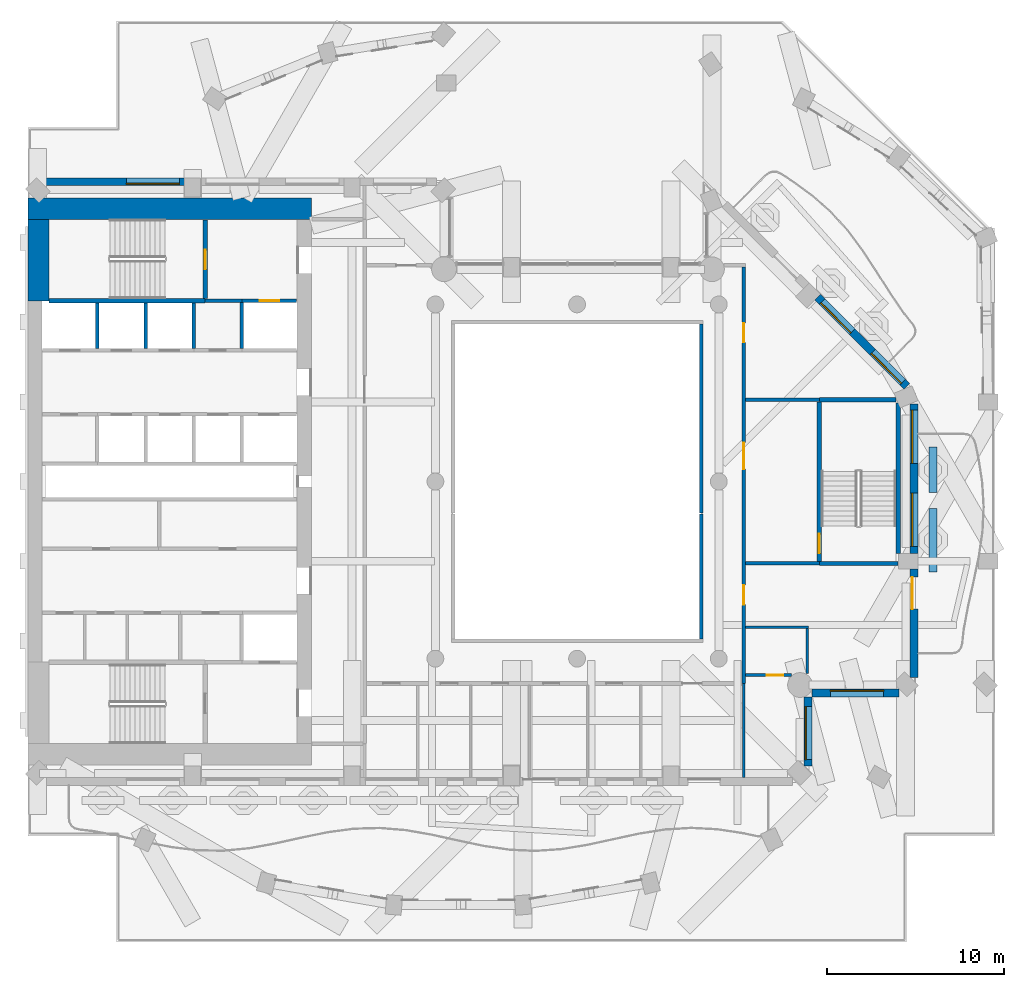
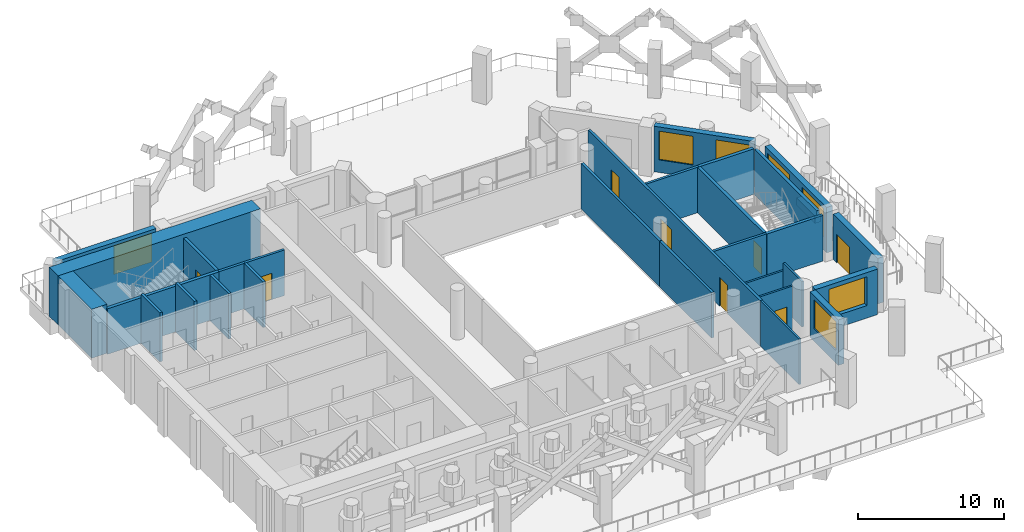
# One storey, part 7 of 18: 31 walls, 8 doors, 7 windows, 15 openings.
"""IFC4 building model written with IfcOpenShell, lengths in metres."""

import ifcopenshell
import ifcopenshell.guid

model = None  # the IFC model being written
_history = None  # IfcOwnerHistory: only IFC2X3 demands one
_inside = {}  # id of a spatial element -> (the spatial element, [elements in it])
_under = {}  # id of a project, library or spatial element -> (it, [spatial elements below it])
_declared = {}  # id of a project -> (the project, [libraries it declares])
_typed = {}  # id of a type object -> (the type object, [elements of that type])
_made_of = {}  # id of a material, layer set ... -> (it, [elements and type objects made of it])


def new_model(schema):
    """Start an empty IFC model of exactly this schema.

    Asked for "IFC4X3", IfcOpenShell would pick the latest addendum, in which some entities
    have other attributes; the version numbers below select the first issue.
    IFC2X3 requires an IfcOwnerHistory on every rooted entity: one is made here for all.
    """
    global model, _history
    if schema == "IFC4X3":
        model = ifcopenshell.file(schema_version=(4, 3, 0, 0))
    else:
        model = ifcopenshell.file(schema=schema)
    _inside.clear()
    _under.clear()
    _declared.clear()
    _typed.clear()
    _made_of.clear()
    _history = None
    if model.schema == "IFC2X3":
        org = make("IfcOrganization", Name="unknown")
        user = make(
            "IfcPersonAndOrganization",
            ThePerson=make("IfcPerson", FamilyName="unknown"),
            TheOrganization=org,
        )
        app = make(
            "IfcApplication",
            ApplicationDeveloper=org,
            Version="unknown",
            ApplicationFullName="unknown",
            ApplicationIdentifier="unknown",
        )
        _history = make(
            "IfcOwnerHistory",
            OwningUser=user,
            OwningApplication=app,
            ChangeAction="ADDED",
            CreationDate=0,
        )
    return model


def make(cls, **values):
    """One entity of the class cls with the attributes given. An attribute that is None is left unset."""
    return model.create_entity(
        cls, **{name: value for name, value in values.items() if value is not None}
    )


def rooted(cls, **values):
    """An entity with a GlobalId (a new one), such as an element, a storey or a relation."""
    return make(cls, GlobalId=ifcopenshell.guid.new(), OwnerHistory=_history, **values)


def si_unit(unit_type, name, prefix=None):
    """IfcSIUnit, for example si_unit("LENGTHUNIT", "METRE", prefix="MILLI")."""
    return make("IfcSIUnit", UnitType=unit_type, Prefix=prefix, Name=name)


def assignment(units):
    """IfcUnitAssignment: the units of a project."""
    return None if units is None else make("IfcUnitAssignment", Units=units)


def point(xyz):
    """IfcCartesianPoint."""
    return None if xyz is None else make("IfcCartesianPoint", Coordinates=xyz)


def direction(xyz):
    """IfcDirection."""
    return None if xyz is None else make("IfcDirection", DirectionRatios=xyz)


def frame(location, z_axis=None, x_axis=None):
    """IfcAxis2Placement3D, a coordinate frame: its origin and axes. An axis left out is left unset."""
    return make(
        "IfcAxis2Placement3D",
        Location=point(location),
        Axis=direction(z_axis),
        RefDirection=direction(x_axis),
    )


def frame_2d(location, x_axis=None):
    """IfcAxis2Placement2D, a coordinate frame in the plane: its origin and x axis."""
    return make(
        "IfcAxis2Placement2D", Location=point(location), RefDirection=direction(x_axis)
    )


def origin():
    """The frame at (0, 0, 0) with its axes left unset."""
    return frame((0.0, 0.0, 0.0))


def place(relative_to, where):
    """IfcLocalPlacement: puts the frame where relative to a parent placement (None: the world)."""
    return make(
        "IfcLocalPlacement", PlacementRelTo=relative_to, RelativePlacement=where
    )


def context(
    kind, dimensions, precision=None, world=None, true_north=None, identifier=None
):
    """IfcGeometricRepresentationContext, for example the 3D "Model" context."""
    return make(
        "IfcGeometricRepresentationContext",
        ContextIdentifier=identifier,
        ContextType=kind,
        CoordinateSpaceDimension=dimensions,
        Precision=precision,
        WorldCoordinateSystem=world,
        TrueNorth=true_north,
    )


def subcontext(parent, identifier, kind, view, scale=None):
    """IfcGeometricRepresentationSubContext, for example "Body" below "Model"."""
    return make(
        "IfcGeometricRepresentationSubContext",
        ContextIdentifier=identifier,
        ContextType=kind,
        ParentContext=parent,
        TargetScale=scale,
        TargetView=view,
    )


def project(units=None, contexts=None):
    """IfcProject with its units and contexts."""
    return rooted(
        "IfcProject",
        Name="project",
        RepresentationContexts=contexts,
        UnitsInContext=assignment(units),
    )


def spatial(cls, under=None, at=None, **own):
    """A site, building, storey or space (cls), placed at a placement, below another one or the project."""
    s = rooted(cls, ObjectPlacement=at, **own)
    if under is not None:
        _under.setdefault(under.id(), (under, []))[1].append(s)
    return s


def profile(cls, at=None, kind="AREA", **sizes):
    """A parametric profile (cls). Its sizes go by their IFC names, for example OverallWidth=200.0."""
    return make(cls, ProfileType=kind, Position=at, **sizes)


def rectangle(**sizes):
    """IfcRectangleProfileDef."""
    return profile("IfcRectangleProfileDef", **sizes)


def extrude(swept, where, along, depth):
    """IfcExtrudedAreaSolid: the profile swept, set in the frame where, extruded along a direction by depth."""
    return make(
        "IfcExtrudedAreaSolid",
        SweptArea=swept,
        Position=where,
        ExtrudedDirection=direction(along),
        Depth=depth,
    )


def shape(context_of_items, identifier, shape_type, items):
    """IfcShapeRepresentation: the items that make up one representation, for example the "Body"."""
    return make(
        "IfcShapeRepresentation",
        ContextOfItems=context_of_items,
        RepresentationIdentifier=identifier,
        RepresentationType=shape_type,
        Items=items,
    )


def material(Name=None, Category=None):
    """IfcMaterial."""
    return make("IfcMaterial", Name=Name, Category=Category)


def layer(
    of_material, thickness, ventilated=None, Name=None, Category=None, Priority=None
):
    """IfcMaterialLayer: one layer of a wall or slab, of a material (None: an air gap)."""
    return make(
        "IfcMaterialLayer",
        Material=of_material,
        LayerThickness=thickness,
        IsVentilated=ventilated,
        Name=Name,
        Category=Category,
        Priority=Priority,
    )


def layer_set(layers, Name=None):
    """IfcMaterialLayerSet."""
    return make("IfcMaterialLayerSet", MaterialLayers=layers, LayerSetName=Name)


def made_of(thing, what):
    """Note that an element or type object is made of a material, layer set ...; save() writes the relation."""
    if what is not None:
        _made_of.setdefault(what.id(), (what, []))[1].append(thing)
    return thing


def type_object(cls, material=None, **own):
    """A type object (cls), such as IfcWallType, which elements share."""
    return made_of(rooted(cls, **own), material)


def element(
    cls,
    number,
    at=None,
    inside=None,
    cuts=None,
    type_object=None,
    material=None,
    context=None,
    identifier="Body",
    shape_type=None,
    held_by="IfcProductDefinitionShape",
    body=None,
    shapes=None,
    **own,
):
    """One element of the class cls, such as IfcWall. Its Tag is "e" and its number.

    at: its placement. inside: the storey or other place that contains it. cuts: it is an
    opening in that element (IfcRelVoidsElement). A single representation is given by context,
    identifier, shape_type and body (its items); several are given by shapes. held_by: the class
    of the entity that holds the representations. save() writes the other relations.
    """
    e = rooted(cls, Tag="e%d" % number, ObjectPlacement=at, **own)
    if body is not None:
        shapes = [shape(context, identifier, shape_type, body)]
    if shapes is not None:
        e.Representation = make(held_by, Representations=shapes)
    if inside is not None:
        _inside.setdefault(inside.id(), (inside, []))[1].append(e)
    if cuts is not None:
        rooted(
            "IfcRelVoidsElement", RelatingBuildingElement=cuts, RelatedOpeningElement=e
        )
    if type_object is not None:
        _typed.setdefault(type_object.id(), (type_object, []))[1].append(e)
    return made_of(e, material)


def fill(opening, filler):
    """IfcRelFillsElement: the door or window that sits in an opening."""
    return rooted(
        "IfcRelFillsElement",
        RelatingOpeningElement=opening,
        RelatedBuildingElement=filler,
    )


def aggregate(whole, parts):
    """IfcRelAggregates: a whole, such as a stair, and the parts it consists of."""
    return rooted("IfcRelAggregates", RelatingObject=whole, RelatedObjects=parts)


def save(model, path):
    """Write the relations noted so far, then the file.

    IfcRelAggregates (storeys below a building ...), IfcRelContainedInSpatialStructure (elements
    in a storey), IfcRelDefinesByType, IfcRelAssociatesMaterial and IfcRelDeclares: one each for
    every whole, place, type object, material and project.
    """
    for whole, parts in _under.values():
        aggregate(whole, parts)
    for where, things in _inside.values():
        rooted(
            "IfcRelContainedInSpatialStructure",
            RelatedElements=things,
            RelatingStructure=where,
        )
    for kind, things in _typed.values():
        rooted("IfcRelDefinesByType", RelatedObjects=things, RelatingType=kind)
    for what, things in _made_of.values():
        rooted("IfcRelAssociatesMaterial", RelatedObjects=things, RelatingMaterial=what)
    for by, libraries in _declared.values():
        rooted("IfcRelDeclares", RelatingContext=by, RelatedDefinitions=libraries)
    model.write(path)


model = new_model("IFC4")

# Units and contexts
model_context = context("Model", 3, precision=1e-05, world=origin(), true_north=direction((0.0, 1.0)))
body_context = subcontext(model_context, "Body", "Model", "MODEL_VIEW")
ifc_project = project(units=[si_unit("LENGTHUNIT", "METRE"), si_unit("AREAUNIT", "SQUARE_METRE"), si_unit("VOLUMEUNIT", "CUBIC_METRE"), si_unit("PLANEANGLEUNIT", "RADIAN"), si_unit("MASSUNIT", "GRAM", prefix="KILO")], contexts=[model_context])

# Site, building, storey
site_placement = place(None, origin())
site = spatial("IfcSite", under=ifc_project, at=site_placement, CompositionType="ELEMENT")
building_placement = place(site_placement, origin())
building = spatial("IfcBuilding", under=site, at=building_placement, Name="Cypress Arch Tower", CompositionType="ELEMENT")
storey_placement = place(building_placement, frame((0.0, 0.0, 160.5)))
storey = spatial("IfcBuildingStorey", under=building, at=storey_placement, Name="L34", CompositionType="ELEMENT", Elevation=160.5)

# Walls
ifc_material_1 = material(Name="Concrete C40/50, waterproofed", Category="concrete")
ifc_layer_1 = layer(ifc_material_1, 0.449951171875)
ifc_layer_set_1 = layer_set([ifc_layer_1], Name="Balcony planter wall PW450")
wall_type_1 = type_object("IfcWallType", Name="Balcony planter wall PW450", PredefinedType="SOLIDWALL", material=ifc_layer_set_1)
wall_1_placement = place(storey_placement, frame((21.10009765625, -5.10009765625, 0.0), z_axis=(0.0, 0.0, 1.0), x_axis=(0.0, 1.0, 0.0)))
element("IfcWall", 1, at=wall_1_placement, inside=storey, type_object=wall_type_1, Name="Balcony planter wall L34-B04.1", PredefinedType="SOLIDWALL", context=body_context, shape_type="SweptSolid", body=[
    extrude(rectangle(XDim=3.58349609375, YDim=0.449951171875, at=frame_2d((1.791748046875, 0.0))), origin(), (0.0, 0.0, 1.0), 0.60009765625),
])
wall_2_placement = place(storey_placement, frame((21.10009765625, -0.61669921875, 0.0), z_axis=(0.0, 0.0, 1.0), x_axis=(0.0, 1.0, 0.0)))
element("IfcWall", 2, at=wall_2_placement, inside=storey, type_object=wall_type_1, Name="Balcony planter wall L34-B04.2", PredefinedType="SOLIDWALL", context=body_context, shape_type="SweptSolid", body=[
    extrude(rectangle(XDim=2.566650390625, YDim=0.449951171875, at=frame_2d((1.283203125, 0.0))), origin(), (0.0, 0.0, 1.0), 0.60009765625),
])

# Wall, opening, window
ifc_material_2 = material(Name="Brick (red buff blend)", Category="masonry")
ifc_layer_2 = layer(ifc_material_2, 0.449951171875)
ifc_layer_set_2 = layer_set([ifc_layer_2], Name="Brick pier and spandrel wall BW450")
wall_type_2 = type_object("IfcWallType", Name="Brick pier and spandrel wall BW450", PredefinedType="SOLIDWALL", material=ifc_layer_set_2)
wall_3_placement = place(storey_placement, frame((14.02490234375, -16.063720703125, 0.0), z_axis=(0.0, 0.0, 1.0), x_axis=(0.0, 1.0, 0.0)))
wall_3 = element("IfcWall", 3, at=wall_3_placement, inside=storey, type_object=wall_type_2, Name="Brick wall L34 B02.0", PredefinedType="SOLIDWALL", context=body_context, shape_type="SweptSolid", body=[
    extrude(rectangle(XDim=3.9091796875, YDim=0.449951171875, at=frame_2d((1.95458984375, 0.0))), origin(), (0.0, 0.0, 1.0), 3.800048828125),
])
opening_1_placement = place(wall_3_placement, frame((0.363525390625, 0.0, 1.050048828125)))
opening_1 = element("IfcOpeningElement", 4, at=opening_1_placement, cuts=wall_3, Name="Opening W300O", PredefinedType="OPENING", context=body_context, shape_type="SweptSolid", body=[
    extrude(rectangle(XDim=3.0, YDim=2.39990234375, at=frame_2d((1.5, 1.199951171875))), frame((0.0, 0.23486328125, 0.0), z_axis=(0.0, -1.0, 0.0), x_axis=(1.0, 0.0, 0.0)), (0.0, 0.0, 1.0), 0.469970703125),
])
ifc_material_3 = material(Name="Anodised aluminium, bronze finish, clear low-emissivity double glazing", Category="aluminium")
window_type_1 = type_object("IfcWindowType", Name="Window Office 3000x2400", PartitioningType="SINGLE_PANEL", PredefinedType="WINDOW", material=ifc_material_3)
window_1_placement = place(opening_1_placement, origin())
window_1 = element("IfcWindow", 5, at=window_1_placement, inside=storey, type_object=window_type_1, Name="Window L34 B02.0.1", OverallHeight=2.39990234375, OverallWidth=3.0, PartitioningType="SINGLE_PANEL", PredefinedType="WINDOW", context=body_context, shape_type="SweptSolid", body=[
    extrude(rectangle(XDim=3.0, YDim=2.39990234375, at=frame_2d((1.5, 1.199951171875))), frame((0.0, 0.135009765625, 0.0), z_axis=(0.0, -1.0, 0.0), x_axis=(1.0, 0.0, 0.0)), (0.0, 0.0, 1.0), 0.06005859375),
])
fill(opening_1, window_1)

wall_4_placement = place(storey_placement, frame((14.254638671875, -11.925048828125, 0.0), z_axis=(0.0, 0.0, 1.0), x_axis=(1.0, 0.0, 0.0)))
wall_4 = element("IfcWall", 6, at=wall_4_placement, inside=storey, type_object=wall_type_2, Name="Brick wall L34 B03.0", PredefinedType="SOLIDWALL", context=body_context, shape_type="SweptSolid", body=[
    extrude(rectangle(XDim=4.908935546875, YDim=0.449951171875, at=frame_2d((2.45458984375, 0.0))), origin(), (0.0, 0.0, 1.0), 3.800048828125),
])
opening_2_placement = place(wall_4_placement, frame((1.04541015625, 0.0, 1.050048828125)))
opening_2 = element("IfcOpeningElement", 7, at=opening_2_placement, cuts=wall_4, Name="Opening W300O", PredefinedType="OPENING", context=body_context, shape_type="SweptSolid", body=[
    extrude(rectangle(XDim=3.0, YDim=2.39990234375, at=frame_2d((1.5, 1.199951171875))), frame((0.0, 0.23486328125, 0.0), z_axis=(0.0, -1.0, 0.0), x_axis=(1.0, 0.0, 0.0)), (0.0, 0.0, 1.0), 0.469970703125),
])
window_2_placement = place(opening_2_placement, origin())
window_2 = element("IfcWindow", 8, at=window_2_placement, inside=storey, type_object=window_type_1, Name="Window L34 B03.0.1", OverallHeight=2.39990234375, OverallWidth=3.0, PartitioningType="SINGLE_PANEL", PredefinedType="WINDOW", context=body_context, shape_type="SweptSolid", body=[
    extrude(rectangle(XDim=3.0, YDim=2.39990234375, at=frame_2d((1.5, 1.199951171875))), frame((0.0, 0.135009765625, 0.0), z_axis=(0.0, -1.0, 0.0), x_axis=(1.0, 0.0, 0.0)), (0.0, 0.0, 1.0), 0.06005859375),
])
fill(opening_2, window_2)

# Wall, opening, door
wall_5_placement = place(storey_placement, frame((20.02490234375, -11.063720703125, 0.0), z_axis=(0.0, 0.0, 1.0), x_axis=(0.0, 1.0, 0.0)))
wall_5 = element("IfcWall", 9, at=wall_5_placement, inside=storey, type_object=wall_type_2, Name="Brick wall L34 B04.0", PredefinedType="SOLIDWALL", context=body_context, shape_type="SweptSolid", body=[
    extrude(rectangle(XDim=6.11376953125, YDim=0.449951171875, at=frame_2d((3.056884765625, 0.0))), origin(), (0.0, 0.0, 1.0), 3.800048828125),
])
opening_3_placement = place(wall_5_placement, frame((3.863525390625, 0.0, 0.0)))
opening_3 = element("IfcOpeningElement", 10, at=opening_3_placement, cuts=wall_5, Name="Opening D-L34-B04.0.2", PredefinedType="OPENING", context=body_context, shape_type="SweptSolid", body=[
    extrude(rectangle(XDim=1.800048828125, YDim=2.39990234375, at=frame_2d((0.89990234375, 1.199951171875))), frame((0.0, 0.23486328125, 0.0), z_axis=(0.0, -1.0, 0.0), x_axis=(1.0, 0.0, 0.0)), (0.0, 0.0, 1.0), 0.469970703125),
])
ifc_material_4 = material(Name="Anodised aluminium, bronze finish, laminated low-emissivity double glazing, large-missile impact rated", Category="aluminium")
door_type_1 = type_object("IfcDoorType", Name="Balcony sliding door 1800x2400", OperationType="SLIDING_TO_LEFT", PredefinedType="DOOR", material=ifc_material_4)
door_1_placement = place(opening_3_placement, origin())
door_1 = element("IfcDoor", 11, at=door_1_placement, inside=storey, type_object=door_type_1, Name="Balcony door L34 B04.0.2", OperationType="SLIDING_TO_LEFT", OverallHeight=2.39990234375, OverallWidth=1.800048828125, PredefinedType="DOOR", context=body_context, shape_type="SweptSolid", body=[
    extrude(rectangle(XDim=1.800048828125, YDim=2.39990234375, at=frame_2d((0.89990234375, 1.199951171875))), frame((0.0, 0.1298828125, 0.0), z_axis=(0.0, -1.0, 0.0), x_axis=(1.0, 0.0, 0.0)), (0.0, 0.0, 1.0), 0.050048828125),
])
fill(opening_3, door_1)

# Wall, openings, windows
wall_6_placement = place(storey_placement, frame((20.02490234375, -4.050048828125, 0.0), z_axis=(0.0, 0.0, 1.0), x_axis=(0.0, 1.0, 0.0)))
wall_6 = element("IfcWall", 12, at=wall_6_placement, inside=storey, type_object=wall_type_2, Name="Brick wall L34 B04.1", PredefinedType="SOLIDWALL", context=body_context, shape_type="SweptSolid", body=[
    extrude(rectangle(XDim=8.438720703125, YDim=0.449951171875, at=frame_2d((4.21923828125, 0.0))), origin(), (0.0, 0.0, 1.0), 3.800048828125),
])
opening_4_placement = place(wall_6_placement, frame((0.39404296875, 0.0, 1.050048828125)))
opening_4 = element("IfcOpeningElement", 13, at=opening_4_placement, cuts=wall_6, Name="Opening W300OD", PredefinedType="OPENING", context=body_context, shape_type="SweptSolid", body=[
    extrude(rectangle(XDim=3.0, YDim=2.39990234375, at=frame_2d((1.5, 1.199951171875))), frame((0.0, 0.23486328125, 0.0), z_axis=(0.0, -1.0, 0.0), x_axis=(1.0, 0.0, 0.0)), (0.0, 0.0, 1.0), 0.469970703125),
])
opening_5_placement = place(wall_6_placement, frame((5.081787109375, 0.0, 1.050048828125)))
opening_5 = element("IfcOpeningElement", 14, at=opening_5_placement, cuts=wall_6, Name="Opening W300OD", PredefinedType="OPENING", context=body_context, shape_type="SweptSolid", body=[
    extrude(rectangle(XDim=3.0, YDim=2.39990234375, at=frame_2d((1.5, 1.199951171875))), frame((0.0, 0.23486328125, 0.0), z_axis=(0.0, -1.0, 0.0), x_axis=(1.0, 0.0, 0.0)), (0.0, 0.0, 1.0), 0.469970703125),
])
ifc_material_5 = material(Name="Anodised aluminium, bronze finish, laminated low-emissivity double glazing, large-missile impact rated", Category="aluminium")
window_type_2 = type_object("IfcWindowType", Name="Window Office 3000x2400 debris-rated", PartitioningType="SINGLE_PANEL", PredefinedType="WINDOW", material=ifc_material_5)
window_3_placement = place(opening_4_placement, origin())
window_3 = element("IfcWindow", 15, at=window_3_placement, inside=storey, type_object=window_type_2, Name="Window L34 B04.1.1", OverallHeight=2.39990234375, OverallWidth=3.0, PartitioningType="SINGLE_PANEL", PredefinedType="WINDOW", context=body_context, shape_type="SweptSolid", body=[
    extrude(rectangle(XDim=3.0, YDim=2.39990234375, at=frame_2d((1.5, 1.199951171875))), frame((0.0, 0.135009765625, 0.0), z_axis=(0.0, -1.0, 0.0), x_axis=(1.0, 0.0, 0.0)), (0.0, 0.0, 1.0), 0.06005859375),
])
fill(opening_4, window_3)
window_4_placement = place(opening_5_placement, origin())
window_4 = element("IfcWindow", 16, at=window_4_placement, inside=storey, type_object=window_type_2, Name="Window L34 B04.1.2", OverallHeight=2.39990234375, OverallWidth=3.0, PartitioningType="SINGLE_PANEL", PredefinedType="WINDOW", context=body_context, shape_type="SweptSolid", body=[
    extrude(rectangle(XDim=3.0, YDim=2.39990234375, at=frame_2d((1.5, 1.199951171875))), frame((0.0, 0.135009765625, 0.0), z_axis=(0.0, -1.0, 0.0), x_axis=(1.0, 0.0, 0.0)), (0.0, 0.0, 1.0), 0.06005859375),
])
fill(opening_5, window_4)

wall_7_placement = place(storey_placement, frame((19.61474609375, 5.379150390625, 0.0), z_axis=(0.0, 0.0, 1.0), x_axis=(-0.707089646058, 0.7071239159, 0.0)))
wall_7 = element("IfcWall", 17, at=wall_7_placement, inside=storey, type_object=wall_type_2, Name="Brick wall L34 B05.0", PredefinedType="SOLIDWALL", context=body_context, shape_type="SweptSolid", body=[
    extrude(rectangle(XDim=7.1240234375, YDim=0.449951171875, at=frame_2d((3.56201171875, 0.0))), origin(), (0.0, 0.0, 1.0), 3.800048828125),
])
opening_6_placement = place(wall_7_placement, frame((0.328125, 0.0, 1.050048828125)))
opening_6 = element("IfcOpeningElement", 18, at=opening_6_placement, cuts=wall_7, Name="Opening W240OD", PredefinedType="OPENING", context=body_context, shape_type="SweptSolid", body=[
    extrude(rectangle(XDim=2.39990234375, YDim=2.39990234375, at=frame_2d((1.199951171875, 1.199951171875))), frame((0.0, 0.23486328125, 0.0), z_axis=(0.0, -1.0, 0.0), x_axis=(1.0, 0.0, 0.0)), (0.0, 0.0, 1.0), 0.469970703125),
])
opening_7_placement = place(wall_7_placement, frame((4.358642578125, 0.0, 1.050048828125)))
opening_7 = element("IfcOpeningElement", 19, at=opening_7_placement, cuts=wall_7, Name="Opening W240OD", PredefinedType="OPENING", context=body_context, shape_type="SweptSolid", body=[
    extrude(rectangle(XDim=2.39990234375, YDim=2.39990234375, at=frame_2d((1.199951171875, 1.199951171875))), frame((0.0, 0.23486328125, 0.0), z_axis=(0.0, -1.0, 0.0), x_axis=(1.0, 0.0, 0.0)), (0.0, 0.0, 1.0), 0.469970703125),
])
ifc_material_6 = material(Name="Anodised aluminium, bronze finish, laminated low-emissivity double glazing, large-missile impact rated", Category="aluminium")
window_type_3 = type_object("IfcWindowType", Name="Window Office 2400x2400 debris-rated", PartitioningType="SINGLE_PANEL", PredefinedType="WINDOW", material=ifc_material_6)
window_5_placement = place(opening_6_placement, origin())
window_5 = element("IfcWindow", 20, at=window_5_placement, inside=storey, type_object=window_type_3, Name="Window L34 B05.0.1", OverallHeight=2.39990234375, OverallWidth=2.39990234375, PartitioningType="SINGLE_PANEL", PredefinedType="WINDOW", context=body_context, shape_type="SweptSolid", body=[
    extrude(rectangle(XDim=2.39990234375, YDim=2.39990234375, at=frame_2d((1.199951171875, 1.199951171875))), frame((0.0, 0.135009765625, 0.0), z_axis=(0.0, -1.0, 0.0), x_axis=(1.0, 0.0, 0.0)), (0.0, 0.0, 1.0), 0.06005859375),
])
fill(opening_6, window_5)
window_6_placement = place(opening_7_placement, origin())
window_6 = element("IfcWindow", 21, at=window_6_placement, inside=storey, type_object=window_type_3, Name="Window L34 B05.0.2", OverallHeight=2.39990234375, OverallWidth=2.39990234375, PartitioningType="SINGLE_PANEL", PredefinedType="WINDOW", context=body_context, shape_type="SweptSolid", body=[
    extrude(rectangle(XDim=2.39990234375, YDim=2.39990234375, at=frame_2d((1.199951171875, 1.199951171875))), frame((0.0, 0.135009765625, 0.0), z_axis=(0.0, -1.0, 0.0), x_axis=(1.0, 0.0, 0.0)), (0.0, 0.0, 1.0), 0.06005859375),
])
fill(opening_7, window_6)

# Wall, opening, window
wall_8_placement = place(storey_placement, frame((-21.14990234375, 16.925048828125, 0.0), z_axis=(0.0, 0.0, 1.0), x_axis=(-1.0, 0.0, 0.0)))
wall_8 = element("IfcWall", 22, at=wall_8_placement, inside=storey, type_object=wall_type_2, Name="Brick wall L34 B09.2", PredefinedType="SOLIDWALL", context=body_context, shape_type="SweptSolid", body=[
    extrude(rectangle(XDim=7.913818359375, YDim=0.449951171875, at=frame_2d((3.95703125, 0.0))), origin(), (0.0, 0.0, 1.0), 3.800048828125),
])
opening_8_placement = place(wall_8_placement, frame((0.300048828125, 0.0, 1.050048828125)))
opening_8 = element("IfcOpeningElement", 23, at=opening_8_placement, cuts=wall_8, Name="Opening W300O", PredefinedType="OPENING", context=body_context, shape_type="SweptSolid", body=[
    extrude(rectangle(XDim=3.0, YDim=2.39990234375, at=frame_2d((1.5, 1.199951171875))), frame((0.0, 0.23486328125, 0.0), z_axis=(0.0, -1.0, 0.0), x_axis=(1.0, 0.0, 0.0)), (0.0, 0.0, 1.0), 0.469970703125),
])
window_7_placement = place(opening_8_placement, origin())
window_7 = element("IfcWindow", 24, at=window_7_placement, inside=storey, type_object=window_type_1, Name="Window L34 B09.2.1", OverallHeight=2.39990234375, OverallWidth=3.0, PartitioningType="SINGLE_PANEL", PredefinedType="WINDOW", context=body_context, shape_type="SweptSolid", body=[
    extrude(rectangle(XDim=3.0, YDim=2.39990234375, at=frame_2d((1.5, 1.199951171875))), frame((0.0, 0.135009765625, 0.0), z_axis=(0.0, -1.0, 0.0), x_axis=(1.0, 0.0, 0.0)), (0.0, 0.0, 1.0), 0.06005859375),
])
fill(opening_8, window_7)

# Walls
ifc_material_7 = material(Name="Concrete C70/85", Category="concrete")
ifc_layer_3 = layer(ifc_material_7, 1.199951171875)
ifc_layer_set_3 = layer_set([ifc_layer_3], Name="Core wall CW1200 C70/85")
wall_type_3 = type_object("IfcWallType", Name="Core wall CW1200 C70/85", PredefinedType="SHEAR", material=ifc_layer_set_3)
wall_9_placement = place(storey_placement, frame((-30.0, 15.39990234375, 0.0), z_axis=(0.0, 0.0, 1.0), x_axis=(1.0, 0.0, 0.0)))
element("IfcWall", 25, at=wall_9_placement, inside=storey, type_object=wall_type_3, Name="Core wall", PredefinedType="SHEAR", context=body_context, shape_type="SweptSolid", body=[
    extrude(rectangle(XDim=16.0, YDim=1.199951171875, at=frame_2d((8.0, 0.0))), origin(), (0.0, 0.0, 1.0), 4.10009765625),
])
wall_10_placement = place(storey_placement, frame((-29.39990234375, 10.199951171875, 0.0), z_axis=(0.0, 0.0, 1.0), x_axis=(0.0, 1.0, 0.0)))
element("IfcWall", 26, at=wall_10_placement, inside=storey, type_object=wall_type_3, Name="Core wall", PredefinedType="SHEAR", context=body_context, shape_type="SweptSolid", body=[
    extrude(rectangle(XDim=4.60009765625, YDim=1.199951171875, at=frame_2d((2.300048828125, 0.0))), origin(), (0.0, 0.0, 1.0), 4.10009765625),
])
ifc_material_8 = material(Name="Concrete blockwork, plastered, rated", Category="masonry")
ifc_layer_4 = layer(ifc_material_8, 0.199951171875)
ifc_layer_set_4 = layer_set([ifc_layer_4], Name="Corridor wall FW200")
wall_type_4 = type_object("IfcWallType", Name="Corridor wall FW200", PredefinedType="PARTITIONING", material=ifc_layer_set_4)
wall_11_placement = place(storey_placement, frame((-20.0, 10.199951171875, 0.0), z_axis=(0.0, 0.0, 1.0), x_axis=(1.0, 0.0, 0.0)))
element("IfcWall", 27, at=wall_11_placement, inside=storey, type_object=wall_type_4, Name="Corridor wall", PredefinedType="PARTITIONING", context=body_context, shape_type="SweptSolid", body=[
    extrude(rectangle(XDim=2.080078125, YDim=0.199951171875, at=frame_2d((1.0400390625, 0.0))), origin(), (0.0, 0.0, 1.0), 3.800048828125),
])
wall_12_placement = place(storey_placement, frame((8.0, -8.89990234375, 0.0), z_axis=(0.0, 0.0, 1.0), x_axis=(0.0, 1.0, 0.0)))
element("IfcWall", 28, at=wall_12_placement, inside=storey, type_object=wall_type_4, Name="Corridor wall", PredefinedType="PARTITIONING", context=body_context, shape_type="SweptSolid", body=[
    extrude(rectangle(XDim=7.079833984375, YDim=0.199951171875, at=frame_2d((3.5400390625, 0.0))), origin(), (0.0, 0.0, 1.0), 3.800048828125),
])
wall_13_placement = place(storey_placement, frame((8.0, -1.780029296875, 0.0), z_axis=(0.0, 0.0, 1.0), x_axis=(0.0, 1.0, 0.0)))
element("IfcWall", 29, at=wall_13_placement, inside=storey, type_object=wall_type_4, Name="Corridor wall", PredefinedType="PARTITIONING", context=body_context, shape_type="SweptSolid", body=[
    extrude(rectangle(XDim=10.679931640625, YDim=0.199951171875, at=frame_2d((5.33984375, 0.0))), origin(), (0.0, 0.0, 1.0), 3.800048828125),
])

# Wall, openings, doors
wall_14_placement = place(storey_placement, frame((10.39990234375, -11.39990234375, 0.0), z_axis=(0.0, 0.0, 1.0), x_axis=(0.0, 1.0, 0.0)))
wall_14 = element("IfcWall", 30, at=wall_14_placement, inside=storey, type_object=wall_type_4, Name="Corridor wall", PredefinedType="PARTITIONING", context=body_context, shape_type="SweptSolid", body=[
    extrude(rectangle(XDim=23.5, YDim=0.199951171875, at=frame_2d((11.75, 0.0))), origin(), (0.0, 0.0, 1.0), 3.800048828125),
])
opening_9_placement = place(wall_14_placement, frame((12.10009765625, 0.0, 0.0)))
opening_9 = element("IfcOpeningElement", 31, at=opening_9_placement, cuts=wall_14, Name="Opening D07", PredefinedType="OPENING", context=body_context, shape_type="SweptSolid", body=[
    extrude(rectangle(XDim=1.5, YDim=2.39990234375, at=frame_2d((0.75, 1.199951171875))), frame((0.0, 0.10986328125, 0.0), z_axis=(0.0, -1.0, 0.0), x_axis=(1.0, 0.0, 0.0)), (0.0, 0.0, 1.0), 0.219970703125),
])
opening_10_placement = place(wall_14_placement, frame((19.25, 0.0, 0.0)))
opening_10 = element("IfcOpeningElement", 32, at=opening_10_placement, cuts=wall_14, Name="Opening D01", PredefinedType="OPENING", context=body_context, shape_type="SweptSolid", body=[
    extrude(rectangle(XDim=1.10009765625, YDim=2.39990234375, at=frame_2d((0.550048828125, 1.199951171875))), frame((0.0, 0.10986328125, 0.0), z_axis=(0.0, -1.0, 0.0), x_axis=(1.0, 0.0, 0.0)), (0.0, 0.0, 1.0), 0.219970703125),
])
opening_11_placement = place(wall_14_placement, frame((4.449951171875, 0.0, 0.0)))
opening_11 = element("IfcOpeningElement", 33, at=opening_11_placement, cuts=wall_14, Name="Opening D01", PredefinedType="OPENING", context=body_context, shape_type="SweptSolid", body=[
    extrude(rectangle(XDim=1.10009765625, YDim=2.39990234375, at=frame_2d((0.550048828125, 1.199951171875))), frame((0.0, 0.10986328125, 0.0), z_axis=(0.0, -1.0, 0.0), x_axis=(1.0, 0.0, 0.0)), (0.0, 0.0, 1.0), 0.219970703125),
])
ifc_material_9 = material(Name="Steel framed glazed door, fire resisting", Category="steel")
door_type_2 = type_object("IfcDoorType", Name="Lobby door D07 1500x2400", OperationType="DOUBLE_DOOR_SINGLE_SWING", PredefinedType="DOOR", material=ifc_material_9)
door_2_placement = place(opening_9_placement, origin())
door_2 = element("IfcDoor", 34, at=door_2_placement, inside=storey, type_object=door_type_2, Name="Lobby door", OperationType="DOUBLE_DOOR_SINGLE_SWING", OverallHeight=2.39990234375, OverallWidth=1.5, PredefinedType="DOOR", context=body_context, shape_type="SweptSolid", body=[
    extrude(rectangle(XDim=1.5, YDim=2.39990234375, at=frame_2d((0.75, 1.199951171875))), frame((0.0, 0.02490234375, 0.0), z_axis=(0.0, -1.0, 0.0), x_axis=(1.0, 0.0, 0.0)), (0.0, 0.0, 1.0), 0.050048828125),
])
fill(opening_9, door_2)
ifc_material_10 = material(Name="Timber flush door, fire resisting, self-closing", Category="wood")
door_type_3 = type_object("IfcDoorType", Name="Unit entrance door D01 1100x2400", OperationType="SINGLE_SWING_LEFT", PredefinedType="DOOR", material=ifc_material_10)
door_3_placement = place(opening_10_placement, origin())
door_3 = element("IfcDoor", 35, at=door_3_placement, inside=storey, type_object=door_type_3, Name="Unit entrance door", OperationType="SINGLE_SWING_LEFT", OverallHeight=2.39990234375, OverallWidth=1.10009765625, PredefinedType="DOOR", context=body_context, shape_type="SweptSolid", body=[
    extrude(rectangle(XDim=1.10009765625, YDim=2.39990234375, at=frame_2d((0.550048828125, 1.199951171875))), frame((0.0, 0.02490234375, 0.0), z_axis=(0.0, -1.0, 0.0), x_axis=(1.0, 0.0, 0.0)), (0.0, 0.0, 1.0), 0.050048828125),
])
fill(opening_10, door_3)
door_4_placement = place(opening_11_placement, origin())
door_4 = element("IfcDoor", 36, at=door_4_placement, inside=storey, type_object=door_type_3, Name="Unit entrance door", OperationType="SINGLE_SWING_LEFT", OverallHeight=2.39990234375, OverallWidth=1.10009765625, PredefinedType="DOOR", context=body_context, shape_type="SweptSolid", body=[
    extrude(rectangle(XDim=1.10009765625, YDim=2.39990234375, at=frame_2d((0.550048828125, 1.199951171875))), frame((0.0, 0.02490234375, 0.0), z_axis=(0.0, -1.0, 0.0), x_axis=(1.0, 0.0, 0.0)), (0.0, 0.0, 1.0), 0.050048828125),
])
fill(opening_11, door_4)

# Walls
for number, where, z_axis, x_axis, name in (
    (37, (10.5, -4.625, 0.0), (0.0, 0.0, 1.0), (1.0, 0.0, 0.0), "Corridor wall"),
    (38, (10.5, 4.625, 0.0), (0.0, 0.0, 1.0), (1.0, 0.0, 0.0), "Corridor wall"),
):
    element("IfcWall", number, at=place(storey_placement, frame(where, z_axis=z_axis, x_axis=x_axis)), inside=storey, type_object=wall_type_4, Name=name, PredefinedType="PARTITIONING", context=body_context, shape_type="SweptSolid", body=[
        extrude(rectangle(XDim=4.175048828125, YDim=0.199951171875, at=frame_2d((2.08740234375, 0.0))), origin(), (0.0, 0.0, 1.0), 3.800048828125),
    ])
ifc_material_11 = material(Name="Blockwork, plastered both sides", Category="masonry")
ifc_layer_5 = layer(ifc_material_11, 0.14990234375)
ifc_layer_set_5 = layer_set([ifc_layer_5], Name="Partition PW150")
wall_type_5 = type_object("IfcWallType", Name="Partition PW150", PredefinedType="PARTITIONING", material=ifc_layer_set_5)
wall_15_placement = place(storey_placement, frame((10.39990234375, -16.699951171875, 0.0), z_axis=(0.0, 0.0, 1.0), x_axis=(0.0, 1.0, 0.0)))
element("IfcWall", 39, at=wall_15_placement, inside=storey, type_object=wall_type_5, Name="Partition", PredefinedType="PARTITIONING", context=body_context, shape_type="SweptSolid", body=[
    extrude(rectangle(XDim=5.300048828125, YDim=0.14990234375, at=frame_2d((2.64990234375, 0.0))), origin(), (0.0, 0.0, 1.0), 3.800048828125),
])

# Wall, opening, door
wall_16_placement = place(storey_placement, frame((10.5, -10.925048828125, 0.0), z_axis=(0.0, 0.0, 1.0), x_axis=(1.0, 0.0, 0.0)))
wall_16 = element("IfcWall", 40, at=wall_16_placement, inside=storey, type_object=wall_type_5, Name="Partition", PredefinedType="PARTITIONING", context=body_context, shape_type="SweptSolid", body=[
    extrude(rectangle(XDim=2.605712890625, YDim=0.14990234375, at=frame_2d((1.302734375, 0.0))), origin(), (0.0, 0.0, 1.0), 3.800048828125),
])
opening_12_placement = place(wall_16_placement, frame((1.199951171875, 0.0, 0.0)))
opening_12 = element("IfcOpeningElement", 41, at=opening_12_placement, cuts=wall_16, Name="Opening D12", PredefinedType="OPENING", context=body_context, shape_type="SweptSolid", body=[
    extrude(rectangle(XDim=0.949951171875, YDim=2.199951171875, at=frame_2d((0.47509765625, 1.10009765625))), frame((0.0, 0.0849609375, 0.0), z_axis=(0.0, -1.0, 0.0), x_axis=(1.0, 0.0, 0.0)), (0.0, 0.0, 1.0), 0.169921875),
])
ifc_material_12 = material(Name="Timber flush door", Category="wood")
door_type_4 = type_object("IfcDoorType", Name="Room door D12 950x2200", OperationType="SINGLE_SWING_LEFT", PredefinedType="DOOR", material=ifc_material_12)
door_5_placement = place(opening_12_placement, origin())
door_5 = element("IfcDoor", 42, at=door_5_placement, inside=storey, type_object=door_type_4, Name="Room door", OperationType="SINGLE_SWING_LEFT", OverallHeight=2.199951171875, OverallWidth=0.949951171875, PredefinedType="DOOR", context=body_context, shape_type="SweptSolid", body=[
    extrude(rectangle(XDim=0.949951171875, YDim=2.199951171875, at=frame_2d((0.47509765625, 1.10009765625))), frame((0.0, 0.02490234375, 0.0), z_axis=(0.0, -1.0, 0.0), x_axis=(1.0, 0.0, 0.0)), (0.0, 0.0, 1.0), 0.050048828125),
])
fill(opening_12, door_5)

# Walls
wall_17_placement = place(storey_placement, frame((10.5, -8.22509765625, 0.0), z_axis=(0.0, 0.0, 1.0), x_axis=(1.0, 0.0, 0.0)))
element("IfcWall", 43, at=wall_17_placement, inside=storey, type_object=wall_type_5, Name="Partition", PredefinedType="PARTITIONING", context=body_context, shape_type="SweptSolid", body=[
    extrude(rectangle(XDim=3.574951171875, YDim=0.14990234375, at=frame_2d((1.78759765625, 0.0))), origin(), (0.0, 0.0, 1.0), 3.14990234375),
])
wall_18_placement = place(storey_placement, frame((14.0, -10.85009765625, 0.0), z_axis=(0.0, 0.0, 1.0), x_axis=(0.0, 1.0, 0.0)))
element("IfcWall", 44, at=wall_18_placement, inside=storey, type_object=wall_type_5, Name="Partition", PredefinedType="PARTITIONING", context=body_context, shape_type="SweptSolid", body=[
    extrude(rectangle(XDim=2.550048828125, YDim=0.14990234375, at=frame_2d((1.27490234375, 0.0))), origin(), (0.0, 0.0, 1.0), 3.800048828125),
])
ifc_material_13 = material(Name="Concrete C50/60", Category="concrete")
ifc_layer_6 = layer(ifc_material_13, 0.199951171875)
ifc_layer_set_6 = layer_set([ifc_layer_6], Name="Shaft wall SH200")
wall_type_6 = type_object("IfcWallType", Name="Shaft wall SH200", PredefinedType="SHEAR", material=ifc_layer_set_6)
for number, where, z_axis, x_axis, name in (
    (45, (-26.080078125, 7.5, 0.0), (0.0, 0.0, 1.0), (0.0, 1.0, 0.0), "Shaft wall"),
    (46, (-23.360107421875, 7.5, 0.0), (0.0, 0.0, 1.0), (0.0, 1.0, 0.0), "Shaft wall"),
):
    element("IfcWall", number, at=place(storey_placement, frame(where, z_axis=z_axis, x_axis=x_axis)), inside=storey, type_object=wall_type_6, Name=name, PredefinedType="SHEAR", context=body_context, shape_type="SweptSolid", body=[
        extrude(rectangle(XDim=2.574951171875, YDim=0.199951171875, at=frame_2d((1.28759765625, 0.0))), origin(), (0.0, 0.0, 1.0), 4.10009765625),
    ])
wall_19_placement = place(storey_placement, frame((-20.639892578125, 7.5, 0.0), z_axis=(0.0, 0.0, 1.0), x_axis=(0.0, 1.0, 0.0)))
element("IfcWall", 47, at=wall_19_placement, inside=storey, type_object=wall_type_6, Name="Shaft wall", PredefinedType="SHEAR", context=body_context, shape_type="SweptSolid", body=[
    extrude(rectangle(XDim=2.574951171875, YDim=0.199951171875, at=frame_2d((1.28759765625, 0.0))), origin(), (0.0, 0.0, 1.0), 3.800048828125),
])
wall_20_placement = place(storey_placement, frame((-17.919921875, 7.5, 0.0), z_axis=(0.0, 0.0, 1.0), x_axis=(0.0, 1.0, 0.0)))
element("IfcWall", 48, at=wall_20_placement, inside=storey, type_object=wall_type_6, Name="Shaft wall", PredefinedType="SHEAR", context=body_context, shape_type="SweptSolid", body=[
    extrude(rectangle(XDim=2.60009765625, YDim=0.199951171875, at=frame_2d((1.300048828125, 0.0))), origin(), (0.0, 0.0, 1.0), 3.800048828125),
])

# Wall, opening, door
wall_21_placement = place(storey_placement, frame((-17.919921875, 10.199951171875, 0.0), z_axis=(0.0, 0.0, 1.0), x_axis=(1.0, 0.0, 0.0)))
wall_21 = element("IfcWall", 49, at=wall_21_placement, inside=storey, type_object=wall_type_6, Name="Shaft wall", PredefinedType="SHEAR", context=body_context, shape_type="SweptSolid", body=[
    extrude(rectangle(XDim=3.08984375, YDim=0.199951171875, at=frame_2d((1.544921875, 0.0))), origin(), (0.0, 0.0, 1.0), 3.800048828125),
])
opening_13_placement = place(wall_21_placement, frame((1.0, 0.0, 0.0)))
opening_13 = element("IfcOpeningElement", 50, at=opening_13_placement, cuts=wall_21, Name="Opening LD-FL2", PredefinedType="OPENING", context=body_context, shape_type="SweptSolid", body=[
    extrude(rectangle(XDim=1.10009765625, YDim=2.199951171875, at=frame_2d((0.550048828125, 1.10009765625))), frame((0.0, 0.10986328125, 0.0), z_axis=(0.0, -1.0, 0.0), x_axis=(1.0, 0.0, 0.0)), (0.0, 0.0, 1.0), 0.219970703125),
])
ifc_material_14 = material(Name="Stainless steel centre-opening landing door, rated", Category="steel")
door_type_5 = type_object("IfcDoorType", Name="Lift landing door LD 1100x2200", OperationType="DOUBLE_DOOR_SLIDING", PredefinedType="DOOR", material=ifc_material_14)
door_6_placement = place(opening_13_placement, origin())
door_6 = element("IfcDoor", 51, at=door_6_placement, inside=storey, type_object=door_type_5, Name="Lift landing doors FL2", OperationType="DOUBLE_DOOR_SLIDING", OverallHeight=2.199951171875, OverallWidth=1.10009765625, PredefinedType="DOOR", context=body_context, shape_type="SweptSolid", body=[
    extrude(rectangle(XDim=1.10009765625, YDim=2.199951171875, at=frame_2d((0.550048828125, 1.10009765625))), frame((0.0, 0.02490234375, 0.0), z_axis=(0.0, -1.0, 0.0), x_axis=(1.0, 0.0, 0.0)), (0.0, 0.0, 1.0), 0.050048828125),
])
fill(opening_13, door_6)

# Wall
ifc_material_15 = material(Name="Concrete C50/60", Category="concrete")
ifc_layer_7 = layer(ifc_material_15, 0.25)
ifc_layer_set_7 = layer_set([ifc_layer_7], Name="Stair enclosure wall SW250")
wall_type_7 = type_object("IfcWallType", Name="Stair enclosure wall SW250", PredefinedType="SHEAR", material=ifc_layer_set_7)
wall_22_placement = place(storey_placement, frame((-28.81005859375, 10.199951171875, 0.0), z_axis=(0.0, 0.0, 1.0), x_axis=(1.0, 0.0, 0.0)))
element("IfcWall", 52, at=wall_22_placement, inside=storey, type_object=wall_type_7, Name="Stair enclosure wall", PredefinedType="SHEAR", context=body_context, shape_type="SweptSolid", body=[
    extrude(rectangle(XDim=8.81005859375, YDim=0.25, at=frame_2d((4.405029296875, 0.0))), origin(), (0.0, 0.0, 1.0), 3.800048828125),
])

# Wall, opening, door
wall_23_placement = place(storey_placement, frame((-20.0, 10.324951171875, 0.0), z_axis=(0.0, 0.0, 1.0), x_axis=(0.0, 1.0, 0.0)))
wall_23 = element("IfcWall", 53, at=wall_23_placement, inside=storey, type_object=wall_type_7, Name="Stair enclosure wall", PredefinedType="SHEAR", context=body_context, shape_type="SweptSolid", body=[
    extrude(rectangle(XDim=4.445068359375, YDim=0.25, at=frame_2d((2.22265625, 0.0))), origin(), (0.0, 0.0, 1.0), 3.800048828125),
])
opening_14_placement = place(wall_23_placement, frame((1.64990234375, 0.0, 0.0)))
opening_14 = element("IfcOpeningElement", 54, at=opening_14_placement, cuts=wall_23, Name="Opening D06", PredefinedType="OPENING", context=body_context, shape_type="SweptSolid", body=[
    extrude(rectangle(XDim=1.10009765625, YDim=2.199951171875, at=frame_2d((0.550048828125, 1.10009765625))), frame((0.0, 0.135009765625, 0.0), z_axis=(0.0, -1.0, 0.0), x_axis=(1.0, 0.0, 0.0)), (0.0, 0.0, 1.0), 0.27001953125),
])
ifc_material_16 = material(Name="Steel door, fire resisting, panic bar", Category="steel")
door_type_6 = type_object("IfcDoorType", Name="Stair door D06 1100x2200", OperationType="SINGLE_SWING_LEFT", PredefinedType="DOOR", material=ifc_material_16)
door_7_placement = place(opening_14_placement, origin())
door_7 = element("IfcDoor", 55, at=door_7_placement, inside=storey, type_object=door_type_6, Name="Stair door", OperationType="SINGLE_SWING_LEFT", OverallHeight=2.199951171875, OverallWidth=1.10009765625, PredefinedType="DOOR", context=body_context, shape_type="SweptSolid", body=[
    extrude(rectangle(XDim=1.10009765625, YDim=2.199951171875, at=frame_2d((0.550048828125, 1.10009765625))), frame((0.0, 0.02490234375, 0.0), z_axis=(0.0, -1.0, 0.0), x_axis=(1.0, 0.0, 0.0)), (0.0, 0.0, 1.0), 0.050048828125),
])
fill(opening_14, door_7)

wall_24_placement = place(storey_placement, frame((14.675048828125, -4.5, 0.0), z_axis=(0.0, 0.0, 1.0), x_axis=(0.0, 1.0, 0.0)))
wall_24 = element("IfcWall", 56, at=wall_24_placement, inside=storey, type_object=wall_type_7, Name="Stair enclosure wall", PredefinedType="SHEAR", context=body_context, shape_type="SweptSolid", body=[
    extrude(rectangle(XDim=9.0, YDim=0.25, at=frame_2d((4.5, 0.0))), origin(), (0.0, 0.0, 1.0), 3.800048828125),
])
opening_15_placement = place(wall_24_placement, frame((0.449951171875, 0.0, 0.0)))
opening_15 = element("IfcOpeningElement", 57, at=opening_15_placement, cuts=wall_24, Name="Opening D06", PredefinedType="OPENING", context=body_context, shape_type="SweptSolid", body=[
    extrude(rectangle(XDim=1.10009765625, YDim=2.199951171875, at=frame_2d((0.550048828125, 1.10009765625))), frame((0.0, 0.135009765625, 0.0), z_axis=(0.0, -1.0, 0.0), x_axis=(1.0, 0.0, 0.0)), (0.0, 0.0, 1.0), 0.27001953125),
])
door_8_placement = place(opening_15_placement, origin())
door_8 = element("IfcDoor", 58, at=door_8_placement, inside=storey, type_object=door_type_6, Name="Stair door", OperationType="SINGLE_SWING_RIGHT", OverallHeight=2.199951171875, OverallWidth=1.10009765625, PredefinedType="DOOR", context=body_context, shape_type="SweptSolid", body=[
    extrude(rectangle(XDim=1.10009765625, YDim=2.199951171875, at=frame_2d((0.550048828125, 1.10009765625))), frame((0.0, 0.02490234375, 0.0), z_axis=(0.0, -1.0, 0.0), x_axis=(1.0, 0.0, 0.0)), (0.0, 0.0, 1.0), 0.050048828125),
])
fill(opening_15, door_8)

# Walls
wall_25_placement = place(storey_placement, frame((14.675048828125, -4.625, 0.0), z_axis=(0.0, 0.0, 1.0), x_axis=(1.0, 0.0, 0.0)))
element("IfcWall", 59, at=wall_25_placement, inside=storey, type_object=wall_type_7, Name="Stair enclosure wall", PredefinedType="SHEAR", context=body_context, shape_type="SweptSolid", body=[
    extrude(rectangle(XDim=4.449951171875, YDim=0.25, at=frame_2d((2.22509765625, 0.0))), origin(), (0.0, 0.0, 1.0), 3.800048828125),
])
wall_26_placement = place(storey_placement, frame((14.675048828125, 4.625, 0.0), z_axis=(0.0, 0.0, 1.0), x_axis=(1.0, 0.0, 0.0)))
element("IfcWall", 60, at=wall_26_placement, inside=storey, type_object=wall_type_7, Name="Stair enclosure wall", PredefinedType="SHEAR", context=body_context, shape_type="SweptSolid", body=[
    extrude(rectangle(XDim=4.32373046875, YDim=0.25, at=frame_2d((2.161865234375, 0.0))), origin(), (0.0, 0.0, 1.0), 3.800048828125),
])
wall_27_placement = place(storey_placement, frame((19.125, -4.050048828125, 0.0), z_axis=(0.0, 0.0, 1.0), x_axis=(0.0, 1.0, 0.0)))
element("IfcWall", 61, at=wall_27_placement, inside=storey, type_object=wall_type_7, Name="Stair enclosure wall", PredefinedType="SHEAR", context=body_context, shape_type="SweptSolid", body=[
    extrude(rectangle(XDim=8.4765625, YDim=0.25, at=frame_2d((4.23828125, 0.0))), origin(), (0.0, 0.0, 1.0), 3.800048828125),
])

save(model, "model.ifc")
